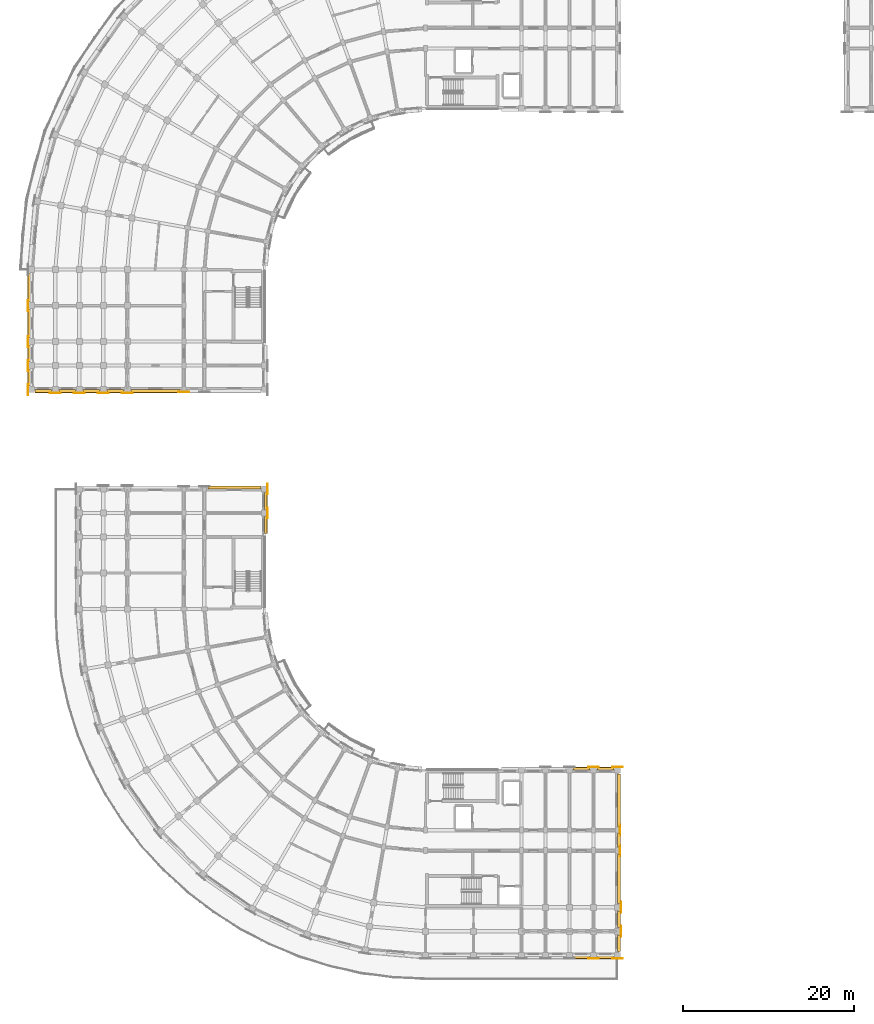
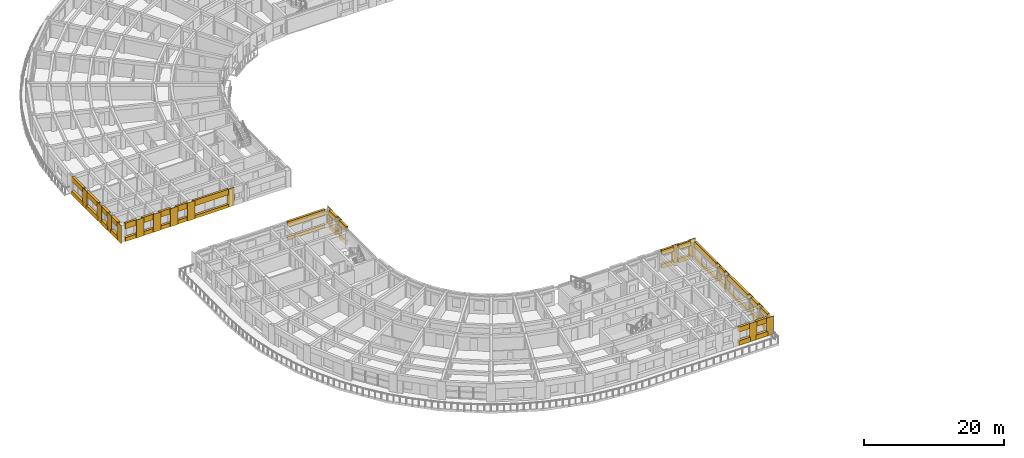
# One storey, part 45 of 57: 61 coverings.
"""IFC4 building model written with IfcOpenShell, lengths in metres."""

import ifcopenshell
import ifcopenshell.guid

model = None  # the IFC model being written
_history = None  # IfcOwnerHistory: only IFC2X3 demands one
_inside = {}  # id of a spatial element -> (the spatial element, [elements in it])
_under = {}  # id of a project, library or spatial element -> (it, [spatial elements below it])
_declared = {}  # id of a project -> (the project, [libraries it declares])
_typed = {}  # id of a type object -> (the type object, [elements of that type])
_made_of = {}  # id of a material, layer set ... -> (it, [elements and type objects made of it])


def new_model(schema):
    """Start an empty IFC model of exactly this schema.

    Asked for "IFC4X3", IfcOpenShell would pick the latest addendum, in which some entities
    have other attributes; the version numbers below select the first issue.
    IFC2X3 requires an IfcOwnerHistory on every rooted entity: one is made here for all.
    """
    global model, _history
    if schema == "IFC4X3":
        model = ifcopenshell.file(schema_version=(4, 3, 0, 0))
    else:
        model = ifcopenshell.file(schema=schema)
    _inside.clear()
    _under.clear()
    _declared.clear()
    _typed.clear()
    _made_of.clear()
    _history = None
    if model.schema == "IFC2X3":
        org = make("IfcOrganization", Name="unknown")
        user = make(
            "IfcPersonAndOrganization",
            ThePerson=make("IfcPerson", FamilyName="unknown"),
            TheOrganization=org,
        )
        app = make(
            "IfcApplication",
            ApplicationDeveloper=org,
            Version="unknown",
            ApplicationFullName="unknown",
            ApplicationIdentifier="unknown",
        )
        _history = make(
            "IfcOwnerHistory",
            OwningUser=user,
            OwningApplication=app,
            ChangeAction="ADDED",
            CreationDate=0,
        )
    return model


def make(cls, **values):
    """One entity of the class cls with the attributes given. An attribute that is None is left unset."""
    return model.create_entity(
        cls, **{name: value for name, value in values.items() if value is not None}
    )


def rooted(cls, **values):
    """An entity with a GlobalId (a new one), such as an element, a storey or a relation."""
    return make(cls, GlobalId=ifcopenshell.guid.new(), OwnerHistory=_history, **values)


def si_unit(unit_type, name, prefix=None):
    """IfcSIUnit, for example si_unit("LENGTHUNIT", "METRE", prefix="MILLI")."""
    return make("IfcSIUnit", UnitType=unit_type, Prefix=prefix, Name=name)


def assignment(units):
    """IfcUnitAssignment: the units of a project."""
    return None if units is None else make("IfcUnitAssignment", Units=units)


def point(xyz):
    """IfcCartesianPoint."""
    return None if xyz is None else make("IfcCartesianPoint", Coordinates=xyz)


def direction(xyz):
    """IfcDirection."""
    return None if xyz is None else make("IfcDirection", DirectionRatios=xyz)


def frame(location, z_axis=None, x_axis=None):
    """IfcAxis2Placement3D, a coordinate frame: its origin and axes. An axis left out is left unset."""
    return make(
        "IfcAxis2Placement3D",
        Location=point(location),
        Axis=direction(z_axis),
        RefDirection=direction(x_axis),
    )


def origin():
    """The frame at (0, 0, 0) with its axes left unset."""
    return frame((0.0, 0.0, 0.0))


def place(relative_to, where):
    """IfcLocalPlacement: puts the frame where relative to a parent placement (None: the world)."""
    return make(
        "IfcLocalPlacement", PlacementRelTo=relative_to, RelativePlacement=where
    )


def context(
    kind, dimensions, precision=None, world=None, true_north=None, identifier=None
):
    """IfcGeometricRepresentationContext, for example the 3D "Model" context."""
    return make(
        "IfcGeometricRepresentationContext",
        ContextIdentifier=identifier,
        ContextType=kind,
        CoordinateSpaceDimension=dimensions,
        Precision=precision,
        WorldCoordinateSystem=world,
        TrueNorth=true_north,
    )


def subcontext(parent, identifier, kind, view, scale=None):
    """IfcGeometricRepresentationSubContext, for example "Body" below "Model"."""
    return make(
        "IfcGeometricRepresentationSubContext",
        ContextIdentifier=identifier,
        ContextType=kind,
        ParentContext=parent,
        TargetScale=scale,
        TargetView=view,
    )


def project(units=None, contexts=None):
    """IfcProject with its units and contexts."""
    return rooted(
        "IfcProject",
        Name="project",
        RepresentationContexts=contexts,
        UnitsInContext=assignment(units),
    )


def spatial(cls, under=None, at=None, **own):
    """A site, building, storey or space (cls), placed at a placement, below another one or the project."""
    s = rooted(cls, ObjectPlacement=at, **own)
    if under is not None:
        _under.setdefault(under.id(), (under, []))[1].append(s)
    return s


def polyline(points):
    """IfcPolyline through the points."""
    return make("IfcPolyline", Points=[point(p) for p in points])


def outline(outer, holes=None, kind="AREA"):
    """IfcArbitraryClosedProfileDef: a profile drawn as a closed curve; with holes, ...WithVoids."""
    if holes is None:
        return make("IfcArbitraryClosedProfileDef", ProfileType=kind, OuterCurve=outer)
    return make(
        "IfcArbitraryProfileDefWithVoids",
        ProfileType=kind,
        OuterCurve=outer,
        InnerCurves=holes,
    )


def extrude(swept, where, along, depth):
    """IfcExtrudedAreaSolid: the profile swept, set in the frame where, extruded along a direction by depth."""
    return make(
        "IfcExtrudedAreaSolid",
        SweptArea=swept,
        Position=where,
        ExtrudedDirection=direction(along),
        Depth=depth,
    )


def shape(context_of_items, identifier, shape_type, items):
    """IfcShapeRepresentation: the items that make up one representation, for example the "Body"."""
    return make(
        "IfcShapeRepresentation",
        ContextOfItems=context_of_items,
        RepresentationIdentifier=identifier,
        RepresentationType=shape_type,
        Items=items,
    )


def material(Name=None, Category=None):
    """IfcMaterial."""
    return make("IfcMaterial", Name=Name, Category=Category)


def layer(
    of_material, thickness, ventilated=None, Name=None, Category=None, Priority=None
):
    """IfcMaterialLayer: one layer of a wall or slab, of a material (None: an air gap)."""
    return make(
        "IfcMaterialLayer",
        Material=of_material,
        LayerThickness=thickness,
        IsVentilated=ventilated,
        Name=Name,
        Category=Category,
        Priority=Priority,
    )


def layer_set(layers, Name=None):
    """IfcMaterialLayerSet."""
    return make("IfcMaterialLayerSet", MaterialLayers=layers, LayerSetName=Name)


def made_of(thing, what):
    """Note that an element or type object is made of a material, layer set ...; save() writes the relation."""
    if what is not None:
        _made_of.setdefault(what.id(), (what, []))[1].append(thing)
    return thing


def type_object(cls, material=None, **own):
    """A type object (cls), such as IfcWallType, which elements share."""
    return made_of(rooted(cls, **own), material)


def element(
    cls,
    number,
    at=None,
    inside=None,
    cuts=None,
    type_object=None,
    material=None,
    context=None,
    identifier="Body",
    shape_type=None,
    held_by="IfcProductDefinitionShape",
    body=None,
    shapes=None,
    **own,
):
    """One element of the class cls, such as IfcWall. Its Tag is "e" and its number.

    at: its placement. inside: the storey or other place that contains it. cuts: it is an
    opening in that element (IfcRelVoidsElement). A single representation is given by context,
    identifier, shape_type and body (its items); several are given by shapes. held_by: the class
    of the entity that holds the representations. save() writes the other relations.
    """
    e = rooted(cls, Tag="e%d" % number, ObjectPlacement=at, **own)
    if body is not None:
        shapes = [shape(context, identifier, shape_type, body)]
    if shapes is not None:
        e.Representation = make(held_by, Representations=shapes)
    if inside is not None:
        _inside.setdefault(inside.id(), (inside, []))[1].append(e)
    if cuts is not None:
        rooted(
            "IfcRelVoidsElement", RelatingBuildingElement=cuts, RelatedOpeningElement=e
        )
    if type_object is not None:
        _typed.setdefault(type_object.id(), (type_object, []))[1].append(e)
    return made_of(e, material)


def aggregate(whole, parts):
    """IfcRelAggregates: a whole, such as a stair, and the parts it consists of."""
    return rooted("IfcRelAggregates", RelatingObject=whole, RelatedObjects=parts)


def save(model, path):
    """Write the relations noted so far, then the file.

    IfcRelAggregates (storeys below a building ...), IfcRelContainedInSpatialStructure (elements
    in a storey), IfcRelDefinesByType, IfcRelAssociatesMaterial and IfcRelDeclares: one each for
    every whole, place, type object, material and project.
    """
    for whole, parts in _under.values():
        aggregate(whole, parts)
    for where, things in _inside.values():
        rooted(
            "IfcRelContainedInSpatialStructure",
            RelatedElements=things,
            RelatingStructure=where,
        )
    for kind, things in _typed.values():
        rooted("IfcRelDefinesByType", RelatedObjects=things, RelatingType=kind)
    for what, things in _made_of.values():
        rooted("IfcRelAssociatesMaterial", RelatedObjects=things, RelatingMaterial=what)
    for by, libraries in _declared.values():
        rooted("IfcRelDeclares", RelatingContext=by, RelatedDefinitions=libraries)
    model.write(path)


model = new_model("IFC4")

# Units and contexts
model_context = context("Model", 3, precision=1e-05, world=origin(), true_north=direction((0.0, 1.0)))
body_context = subcontext(model_context, "Body", "Model", "MODEL_VIEW")
ifc_project = project(units=[si_unit("LENGTHUNIT", "METRE"), si_unit("AREAUNIT", "SQUARE_METRE"), si_unit("VOLUMEUNIT", "CUBIC_METRE"), si_unit("PLANEANGLEUNIT", "RADIAN"), si_unit("MASSUNIT", "GRAM", prefix="KILO")], contexts=[model_context])

# Site, building, storey
site_placement = place(None, origin())
site = spatial("IfcSite", under=ifc_project, at=site_placement, CompositionType="ELEMENT")
building_placement = place(site_placement, origin())
building = spatial("IfcBuilding", under=site, at=building_placement, Name="Kiranvali Square Residences", CompositionType="ELEMENT")
storey_placement = place(building_placement, frame((0.0, 0.0, 24.449951171875)))
storey = spatial("IfcBuildingStorey", under=building, at=storey_placement, Name="L07", CompositionType="ELEMENT", Elevation=24.449951171875)

# Coverings
ifc_material = material(Name="Honed Porbandar limestone ashlar facade cladding", Category="masonry")
ifc_layer_1 = layer(ifc_material, 0.06494140625)
ifc_layer_set_1 = layer_set([ifc_layer_1], Name="Honed Porbandar limestone ashlar facade cladding")
covering_type_1 = type_object("IfcCoveringType", Name="COV-CLAD-PIER", PredefinedType="CLADDING", material=ifc_layer_set_1)
covering_1_placement = place(storey_placement, frame((0.0, 0.0, 0.005126953125)))
element("IfcCovering", 1, at=covering_1_placement, inside=storey, type_object=covering_type_1, Name="L07 Classical limestone pilaster casing CLAD-PR-A-L07-V42", PredefinedType="CLADDING", context=body_context, shape_type="SweptSolid", body=[
    extrude(outline(polyline([(1.781982421875, 84.22998046875), (1.781982421875, 82.969970703125), (1.849609375, 82.969970703125), (1.849609375, 84.22998046875), (1.781982421875, 84.22998046875)])), origin(), (0.0, 0.0, 1.0), 3.139892578125),
])
covering_2_placement = place(storey_placement, frame((0.0, 0.0, 0.005126953125)))
element("IfcCovering", 2, at=covering_2_placement, inside=storey, type_object=covering_type_1, Name="L07 Classical limestone pilaster casing CLAD-PR-A-L07-V84", PredefinedType="CLADDING", context=body_context, shape_type="SweptSolid", body=[
    extrude(outline(polyline([(1.781982421875, 80.030029296875), (1.781982421875, 78.77001953125), (1.849609375, 78.77001953125), (1.849609375, 80.030029296875), (1.781982421875, 80.030029296875)])), origin(), (0.0, 0.0, 1.0), 3.139892578125),
])
covering_3_placement = place(storey_placement, frame((0.0, 0.0, 0.005126953125)))
element("IfcCovering", 3, at=covering_3_placement, inside=storey, type_object=covering_type_1, Name="L07 Classical limestone pilaster casing CLAD-PR-A-L07-V112", PredefinedType="CLADDING", context=body_context, shape_type="SweptSolid", body=[
    extrude(outline(polyline([(1.781982421875, 77.22998046875), (1.781982421875, 75.969970703125), (1.849609375, 75.969970703125), (1.849609375, 77.22998046875), (1.781982421875, 77.22998046875)])), origin(), (0.0, 0.0, 1.0), 3.139892578125),
])
covering_4_placement = place(storey_placement, frame((0.0, 0.0, 0.005126953125)))
element("IfcCovering", 4, at=covering_4_placement, inside=storey, type_object=covering_type_1, Name="L07 Classical limestone pilaster casing CLAD-PR-A-L07-V140", PredefinedType="CLADDING", context=body_context, shape_type="SweptSolid", body=[
    extrude(outline(polyline([(1.781982421875, 74.429931640625), (1.781982421875, 73.169921875), (1.849609375, 73.169921875), (1.849609375, 74.429931640625), (1.781982421875, 74.429931640625)])), origin(), (0.0, 0.0, 1.0), 3.139892578125),
])
covering_5_placement = place(storey_placement, frame((0.0, 0.0, 0.005126953125)))
element("IfcCovering", 5, at=covering_5_placement, inside=storey, type_object=covering_type_1, Name="L07 Classical limestone pilaster casing CLAD-PR-C-L07-U195", PredefinedType="CLADDING", context=body_context, shape_type="SweptSolid", body=[
    extrude(outline(polyline([(67.169921875, 7.382080078125), (68.429931640625, 7.382080078125), (68.429931640625, 7.449462890625), (67.169921875, 7.449462890625), (67.169921875, 7.382080078125)])), origin(), (0.0, 0.0, 1.0), 3.139892578125),
])
covering_6_placement = place(storey_placement, frame((0.0, 0.0, 0.005126953125)))
element("IfcCovering", 6, at=covering_6_placement, inside=storey, type_object=covering_type_1, Name="L07 Classical limestone pilaster casing CLAD-PR-C-L07-U224", PredefinedType="CLADDING", context=body_context, shape_type="SweptSolid", body=[
    extrude(outline(polyline([(69.969970703125, 7.382080078125), (71.22998046875, 7.382080078125), (71.22998046875, 7.449462890625), (69.969970703125, 7.449462890625), (69.969970703125, 7.382080078125)])), origin(), (0.0, 0.0, 1.0), 3.139892578125),
])
ifc_layer_2 = layer(ifc_material, 0.050048828125)
ifc_layer_set_2 = layer_set([ifc_layer_2], Name="Honed Porbandar limestone ashlar facade cladding")
covering_type_2 = type_object("IfcCoveringType", Name="COV-CLAD-PIER-IN", PredefinedType="CLADDING", material=ifc_layer_set_2)
covering_7_placement = place(storey_placement, frame((0.0, 0.0, 0.005126953125)))
element("IfcCovering", 7, at=covering_7_placement, inside=storey, type_object=covering_type_2, Name="L07 Classical limestone pilaster casing CLAD-PRA1I-C-L07-U195", PredefinedType="CLADDING", context=body_context, shape_type="SweptSolid", body=[
    extrude(outline(polyline([(67.169921875, 29.75048828125), (68.429931640625, 29.75048828125), (68.429931640625, 29.818115234375), (67.169921875, 29.818115234375), (67.169921875, 29.75048828125)])), origin(), (0.0, 0.0, 1.0), 3.139892578125),
])
covering_8_placement = place(storey_placement, frame((0.0, 0.0, 0.005126953125)))
element("IfcCovering", 8, at=covering_8_placement, inside=storey, type_object=covering_type_2, Name="L07 Classical limestone pilaster casing CLAD-PRA1I-C-L07-U224", PredefinedType="CLADDING", context=body_context, shape_type="SweptSolid", body=[
    extrude(outline(polyline([(69.969970703125, 29.75048828125), (71.22998046875, 29.75048828125), (71.22998046875, 29.818115234375), (69.969970703125, 29.818115234375), (69.969970703125, 29.75048828125)])), origin(), (0.0, 0.0, 1.0), 3.139892578125),
])
covering_9_placement = place(storey_placement, frame((0.0, 0.0, 0.005126953125)))
element("IfcCovering", 9, at=covering_9_placement, inside=storey, type_object=covering_type_2, Name="L07 Classical limestone pilaster casing CLAD-PRA2I-C-L07-V112", PredefinedType="CLADDING", context=body_context, shape_type="SweptSolid", body=[
    extrude(outline(polyline([(29.818115234375, 58.77001953125), (29.818115234375, 60.030029296875), (29.75048828125, 60.030029296875), (29.75048828125, 58.77001953125), (29.818115234375, 58.77001953125)])), origin(), (0.0, 0.0, 1.0), 3.139892578125),
])
covering_10_placement = place(storey_placement, frame((0.0, 0.0, 0.005126953125)))
element("IfcCovering", 10, at=covering_10_placement, inside=storey, type_object=covering_type_2, Name="L07 Classical limestone pilaster casing CLAD-PRA2I-C-L07-V140", PredefinedType="CLADDING", context=body_context, shape_type="SweptSolid", body=[
    extrude(outline(polyline([(29.818115234375, 61.570068359375), (29.818115234375, 62.830078125), (29.75048828125, 62.830078125), (29.75048828125, 61.570068359375), (29.818115234375, 61.570068359375)])), origin(), (0.0, 0.0, 1.0), 3.139892578125),
])
ifc_layer_3 = layer(ifc_material, 0.054931640625)
ifc_layer_set_3 = layer_set([ifc_layer_3], Name="Honed Porbandar limestone ashlar facade cladding")
covering_type_3 = type_object("IfcCoveringType", Name="COV-CLAD-PIER-UP", PredefinedType="CLADDING", material=ifc_layer_set_3)
covering_11_placement = place(storey_placement, frame((0.0, 0.0, 0.005126953125)))
element("IfcCovering", 11, at=covering_11_placement, inside=storey, type_object=covering_type_3, Name="L07 Classical limestone pilaster casing CLAD-PRA2E-A-L07-R282", PredefinedType="CLADDING", context=body_context, shape_type="SweptSolid", body=[
    extrude(outline(polyline([(20.6298828125, 73.549560546875), (19.3701171875, 73.549560546875), (19.3701171875, 73.48193359375), (20.6298828125, 73.48193359375), (20.6298828125, 73.549560546875)])), origin(), (0.0, 0.0, 1.0), 3.139892578125),
])
covering_12_placement = place(storey_placement, frame((0.0, 0.0, 0.005126953125)))
element("IfcCovering", 12, at=covering_12_placement, inside=storey, type_object=covering_type_3, Name="L07 Classical limestone pilaster casing CLAD-PRA2E-A-L07-R348", PredefinedType="CLADDING", context=body_context, shape_type="SweptSolid", body=[
    extrude(outline(polyline([(14.030029296875, 73.449462890625), (12.77001953125, 73.449462890625), (12.77001953125, 73.382080078125), (14.030029296875, 73.382080078125), (14.030029296875, 73.449462890625)])), origin(), (0.0, 0.0, 1.0), 3.139892578125),
])
covering_13_placement = place(storey_placement, frame((0.0, 0.0, 0.005126953125)))
element("IfcCovering", 13, at=covering_13_placement, inside=storey, type_object=covering_type_3, Name="L07 Classical limestone pilaster casing CLAD-PRA2E-A-L07-R376", PredefinedType="CLADDING", context=body_context, shape_type="SweptSolid", body=[
    extrude(outline(polyline([(11.22998046875, 73.449462890625), (9.969970703125, 73.449462890625), (9.969970703125, 73.382080078125), (11.22998046875, 73.382080078125), (11.22998046875, 73.449462890625)])), origin(), (0.0, 0.0, 1.0), 3.139892578125),
])
covering_14_placement = place(storey_placement, frame((0.0, 0.0, 0.005126953125)))
element("IfcCovering", 14, at=covering_14_placement, inside=storey, type_object=covering_type_3, Name="L07 Classical limestone pilaster casing CLAD-PRA2E-A-L07-R404", PredefinedType="CLADDING", context=body_context, shape_type="SweptSolid", body=[
    extrude(outline(polyline([(8.429931640625, 73.449462890625), (7.169921875, 73.449462890625), (7.169921875, 73.382080078125), (8.429931640625, 73.382080078125), (8.429931640625, 73.449462890625)])), origin(), (0.0, 0.0, 1.0), 3.139892578125),
])
covering_15_placement = place(storey_placement, frame((0.0, 0.0, 0.005126953125)))
element("IfcCovering", 15, at=covering_15_placement, inside=storey, type_object=covering_type_3, Name="L07 Classical limestone pilaster casing CLAD-PRA2E-A-L07-R432", PredefinedType="CLADDING", context=body_context, shape_type="SweptSolid", body=[
    extrude(outline(polyline([(5.6298828125, 73.449462890625), (4.3701171875, 73.449462890625), (4.3701171875, 73.382080078125), (5.6298828125, 73.382080078125), (5.6298828125, 73.449462890625)])), origin(), (0.0, 0.0, 1.0), 3.139892578125),
])
covering_16_placement = place(storey_placement, frame((0.0, 0.0, 0.005126953125)))
element("IfcCovering", 16, at=covering_16_placement, inside=storey, type_object=covering_type_3, Name="L07 Classical limestone pilaster casing CLAD-PRA1E-C-L07-R258", PredefinedType="CLADDING", context=body_context, shape_type="SweptSolid", body=[
    extrude(outline(polyline([(70.8505859375, 23.030029296875), (70.8505859375, 21.77001953125), (70.91796875, 21.77001953125), (70.91796875, 23.030029296875), (70.8505859375, 23.030029296875)])), origin(), (0.0, 0.0, 1.0), 3.139892578125),
])
covering_17_placement = place(storey_placement, frame((0.0, 0.0, 0.005126953125)))
element("IfcCovering", 17, at=covering_17_placement, inside=storey, type_object=covering_type_3, Name="L07 Classical limestone pilaster casing CLAD-PRA1E-C-L07-R282", PredefinedType="CLADDING", context=body_context, shape_type="SweptSolid", body=[
    extrude(outline(polyline([(70.8505859375, 20.6298828125), (70.8505859375, 19.3701171875), (70.91796875, 19.3701171875), (70.91796875, 20.6298828125), (70.8505859375, 20.6298828125)])), origin(), (0.0, 0.0, 1.0), 3.139892578125),
])
covering_18_placement = place(storey_placement, frame((0.0, 0.0, 0.005126953125)))
element("IfcCovering", 18, at=covering_18_placement, inside=storey, type_object=covering_type_3, Name="L07 Classical limestone pilaster casing CLAD-PRA1E-C-L07-R348", PredefinedType="CLADDING", context=body_context, shape_type="SweptSolid", body=[
    extrude(outline(polyline([(70.950439453125, 14.030029296875), (70.950439453125, 12.77001953125), (71.01806640625, 12.77001953125), (71.01806640625, 14.030029296875), (70.950439453125, 14.030029296875)])), origin(), (0.0, 0.0, 1.0), 3.139892578125),
])
covering_19_placement = place(storey_placement, frame((0.0, 0.0, 0.005126953125)))
element("IfcCovering", 19, at=covering_19_placement, inside=storey, type_object=covering_type_3, Name="L07 Classical limestone pilaster casing CLAD-PRA1E-C-L07-R376", PredefinedType="CLADDING", context=body_context, shape_type="SweptSolid", body=[
    extrude(outline(polyline([(70.950439453125, 11.22998046875), (70.950439453125, 9.969970703125), (71.01806640625, 9.969970703125), (71.01806640625, 11.22998046875), (70.950439453125, 11.22998046875)])), origin(), (0.0, 0.0, 1.0), 3.139892578125),
])
ifc_layer_4 = layer(ifc_material, 0.360107421875)
ifc_layer_set_4 = layer_set([ifc_layer_4], Name="Honed Porbandar limestone ashlar facade cladding")
covering_type_4 = type_object("IfcCoveringType", Name="COV-CLAD-WALL", PredefinedType="CLADDING", material=ifc_layer_set_4)
covering_20_placement = place(storey_placement, frame((0.0, 0.0, 2.27197265625)))
element("IfcCovering", 20, at=covering_20_placement, inside=storey, type_object=covering_type_4, Name="L07 light limestone spandrel lintel A-L07-A2O-0", PredefinedType="CLADDING", context=body_context, shape_type="SweptSolid", body=[
    extrude(outline(polyline([(1.800048828125, 87.3798828125), (1.800048828125, 84.02001953125), (2.199462890625, 84.02001953125), (2.199462890625, 87.3798828125), (1.800048828125, 87.3798828125)])), origin(), (0.0, 0.0, 1.0), 0.873046875),
])
covering_21_placement = place(storey_placement, frame((0.0, 0.0, 0.005126953125)))
element("IfcCovering", 21, at=covering_21_placement, inside=storey, type_object=covering_type_4, Name="L07 limestone window sill apron A-L07-A2O-0", PredefinedType="CLADDING", context=body_context, shape_type="SweptSolid", body=[
    extrude(outline(polyline([(1.77001953125, 87.3798828125), (1.77001953125, 84.02001953125), (2.199462890625, 84.02001953125), (2.199462890625, 87.3798828125), (1.77001953125, 87.3798828125)])), origin(), (0.0, 0.0, 1.0), 0.717041015625),
])
covering_22_placement = place(storey_placement, frame((0.0, 0.0, 2.27197265625)))
element("IfcCovering", 22, at=covering_22_placement, inside=storey, type_object=covering_type_4, Name="L07 light limestone spandrel lintel A-L07-A2O-1", PredefinedType="CLADDING", context=body_context, shape_type="SweptSolid", body=[
    extrude(outline(polyline([(1.800048828125, 83.179931640625), (1.800048828125, 79.820068359375), (2.199462890625, 79.820068359375), (2.199462890625, 83.179931640625), (1.800048828125, 83.179931640625)])), origin(), (0.0, 0.0, 1.0), 0.873046875),
])
covering_23_placement = place(storey_placement, frame((0.0, 0.0, 0.005126953125)))
element("IfcCovering", 23, at=covering_23_placement, inside=storey, type_object=covering_type_4, Name="L07 limestone window sill apron A-L07-A2O-1", PredefinedType="CLADDING", context=body_context, shape_type="SweptSolid", body=[
    extrude(outline(polyline([(1.77001953125, 83.179931640625), (1.77001953125, 79.820068359375), (2.199462890625, 79.820068359375), (2.199462890625, 83.179931640625), (1.77001953125, 83.179931640625)])), origin(), (0.0, 0.0, 1.0), 0.717041015625),
])
covering_24_placement = place(storey_placement, frame((0.0, 0.0, 2.27197265625)))
element("IfcCovering", 24, at=covering_24_placement, inside=storey, type_object=covering_type_4, Name="L07 light limestone spandrel lintel A-L07-A2O-2", PredefinedType="CLADDING", context=body_context, shape_type="SweptSolid", body=[
    extrude(outline(polyline([(1.800048828125, 78.97998046875), (1.800048828125, 77.02001953125), (2.199462890625, 77.02001953125), (2.199462890625, 78.97998046875), (1.800048828125, 78.97998046875)])), origin(), (0.0, 0.0, 1.0), 0.873046875),
])
covering_25_placement = place(storey_placement, frame((0.0, 0.0, 0.005126953125)))
element("IfcCovering", 25, at=covering_25_placement, inside=storey, type_object=covering_type_4, Name="L07 limestone window sill apron A-L07-A2O-2", PredefinedType="CLADDING", context=body_context, shape_type="SweptSolid", body=[
    extrude(outline(polyline([(1.77001953125, 78.97998046875), (1.77001953125, 77.02001953125), (2.199462890625, 77.02001953125), (2.199462890625, 78.97998046875), (1.77001953125, 78.97998046875)])), origin(), (0.0, 0.0, 1.0), 0.717041015625),
])
covering_26_placement = place(storey_placement, frame((0.0, 0.0, 2.27197265625)))
element("IfcCovering", 26, at=covering_26_placement, inside=storey, type_object=covering_type_4, Name="L07 light limestone spandrel lintel A-L07-A2O-3", PredefinedType="CLADDING", context=body_context, shape_type="SweptSolid", body=[
    extrude(outline(polyline([(1.800048828125, 76.179931640625), (1.800048828125, 74.219970703125), (2.199462890625, 74.219970703125), (2.199462890625, 76.179931640625), (1.800048828125, 76.179931640625)])), origin(), (0.0, 0.0, 1.0), 0.873046875),
])
covering_27_placement = place(storey_placement, frame((0.0, 0.0, 0.005126953125)))
element("IfcCovering", 27, at=covering_27_placement, inside=storey, type_object=covering_type_4, Name="L07 limestone window sill apron A-L07-A2O-3", PredefinedType="CLADDING", context=body_context, shape_type="SweptSolid", body=[
    extrude(outline(polyline([(1.77001953125, 76.179931640625), (1.77001953125, 74.219970703125), (2.199462890625, 74.219970703125), (2.199462890625, 76.179931640625), (1.77001953125, 76.179931640625)])), origin(), (0.0, 0.0, 1.0), 0.717041015625),
])
covering_28_placement = place(storey_placement, frame((0.0, 0.0, 2.172119140625)))
element("IfcCovering", 28, at=covering_28_placement, inside=storey, type_object=covering_type_4, Name="L07 light limestone spandrel lintel A-L07-A2END-2", PredefinedType="CLADDING", context=body_context, shape_type="SweptSolid", body=[
    extrude(outline(polyline([(19.580078125, 73.799560546875), (13.820068359375, 73.799560546875), (13.820068359375, 73.4599609375), (19.580078125, 73.4599609375), (19.580078125, 73.799560546875)])), origin(), (0.0, 0.0, 1.0), 0.972900390625),
])
covering_29_placement = place(storey_placement, frame((0.0, 0.0, 0.005126953125)))
element("IfcCovering", 29, at=covering_29_placement, inside=storey, type_object=covering_type_4, Name="L07 limestone window sill apron A-L07-A2END-2", PredefinedType="CLADDING", context=body_context, shape_type="SweptSolid", body=[
    extrude(outline(polyline([(19.580078125, 73.799560546875), (13.820068359375, 73.799560546875), (13.820068359375, 73.429931640625), (19.580078125, 73.429931640625), (19.580078125, 73.799560546875)])), origin(), (0.0, 0.0, 1.0), 0.516845703125),
])
covering_30_placement = place(storey_placement, frame((0.0, 0.0, 2.172119140625)))
element("IfcCovering", 30, at=covering_30_placement, inside=storey, type_object=covering_type_4, Name="L07 light limestone spandrel lintel A-L07-A2END-3", PredefinedType="CLADDING", context=body_context, shape_type="SweptSolid", body=[
    extrude(outline(polyline([(12.97998046875, 73.799560546875), (11.02001953125, 73.799560546875), (11.02001953125, 73.4599609375), (12.97998046875, 73.4599609375), (12.97998046875, 73.799560546875)])), origin(), (0.0, 0.0, 1.0), 0.972900390625),
])
covering_31_placement = place(storey_placement, frame((0.0, 0.0, 0.005126953125)))
element("IfcCovering", 31, at=covering_31_placement, inside=storey, type_object=covering_type_4, Name="L07 limestone window sill apron A-L07-A2END-3", PredefinedType="CLADDING", context=body_context, shape_type="SweptSolid", body=[
    extrude(outline(polyline([(12.97998046875, 73.799560546875), (11.02001953125, 73.799560546875), (11.02001953125, 73.429931640625), (12.97998046875, 73.429931640625), (12.97998046875, 73.799560546875)])), origin(), (0.0, 0.0, 1.0), 0.6669921875),
])
covering_32_placement = place(storey_placement, frame((0.0, 0.0, 2.172119140625)))
element("IfcCovering", 32, at=covering_32_placement, inside=storey, type_object=covering_type_4, Name="L07 light limestone spandrel lintel A-L07-A2END-4", PredefinedType="CLADDING", context=body_context, shape_type="SweptSolid", body=[
    extrude(outline(polyline([(10.179931640625, 73.799560546875), (8.219970703125, 73.799560546875), (8.219970703125, 73.4599609375), (10.179931640625, 73.4599609375), (10.179931640625, 73.799560546875)])), origin(), (0.0, 0.0, 1.0), 0.972900390625),
])
covering_33_placement = place(storey_placement, frame((0.0, 0.0, 0.005126953125)))
element("IfcCovering", 33, at=covering_33_placement, inside=storey, type_object=covering_type_4, Name="L07 limestone window sill apron A-L07-A2END-4", PredefinedType="CLADDING", context=body_context, shape_type="SweptSolid", body=[
    extrude(outline(polyline([(10.179931640625, 73.799560546875), (8.219970703125, 73.799560546875), (8.219970703125, 73.429931640625), (10.179931640625, 73.429931640625), (10.179931640625, 73.799560546875)])), origin(), (0.0, 0.0, 1.0), 0.6669921875),
])
covering_34_placement = place(storey_placement, frame((0.0, 0.0, 2.172119140625)))
element("IfcCovering", 34, at=covering_34_placement, inside=storey, type_object=covering_type_4, Name="L07 light limestone spandrel lintel A-L07-A2END-5", PredefinedType="CLADDING", context=body_context, shape_type="SweptSolid", body=[
    extrude(outline(polyline([(7.3798828125, 73.799560546875), (5.419921875, 73.799560546875), (5.419921875, 73.4599609375), (7.3798828125, 73.4599609375), (7.3798828125, 73.799560546875)])), origin(), (0.0, 0.0, 1.0), 0.972900390625),
])
covering_35_placement = place(storey_placement, frame((0.0, 0.0, 0.005126953125)))
element("IfcCovering", 35, at=covering_35_placement, inside=storey, type_object=covering_type_4, Name="L07 limestone window sill apron A-L07-A2END-5", PredefinedType="CLADDING", context=body_context, shape_type="SweptSolid", body=[
    extrude(outline(polyline([(7.3798828125, 73.799560546875), (5.419921875, 73.799560546875), (5.419921875, 73.429931640625), (7.3798828125, 73.429931640625), (7.3798828125, 73.799560546875)])), origin(), (0.0, 0.0, 1.0), 0.6669921875),
])
covering_36_placement = place(storey_placement, frame((0.0, 0.0, 2.172119140625)))
element("IfcCovering", 36, at=covering_36_placement, inside=storey, type_object=covering_type_4, Name="L07 light limestone spandrel lintel A-L07-A2END-6", PredefinedType="CLADDING", context=body_context, shape_type="SweptSolid", body=[
    extrude(outline(polyline([(4.580078125, 73.799560546875), (2.6201171875, 73.799560546875), (2.6201171875, 73.4599609375), (4.580078125, 73.4599609375), (4.580078125, 73.799560546875)])), origin(), (0.0, 0.0, 1.0), 0.972900390625),
])
covering_37_placement = place(storey_placement, frame((0.0, 0.0, 0.005126953125)))
element("IfcCovering", 37, at=covering_37_placement, inside=storey, type_object=covering_type_4, Name="L07 limestone window sill apron A-L07-A2END-6", PredefinedType="CLADDING", context=body_context, shape_type="SweptSolid", body=[
    extrude(outline(polyline([(4.580078125, 73.799560546875), (2.6201171875, 73.799560546875), (2.6201171875, 73.429931640625), (4.580078125, 73.429931640625), (4.580078125, 73.799560546875)])), origin(), (0.0, 0.0, 1.0), 0.6669921875),
])
covering_38_placement = place(storey_placement, frame((0.0, 0.0, 2.280029296875)))
element("IfcCovering", 38, at=covering_38_placement, inside=storey, type_object=covering_type_4, Name="L07 light limestone spandrel lintel C-L07-A1O-4", PredefinedType="CLADDING", context=body_context, shape_type="SweptSolid", body=[
    extrude(outline(polyline([(65.43994140625, 7.39990234375), (67.360107421875, 7.39990234375), (67.360107421875, 7.799560546875), (65.43994140625, 7.799560546875), (65.43994140625, 7.39990234375)])), origin(), (0.0, 0.0, 1.0), 0.864990234375),
])
covering_39_placement = place(storey_placement, frame((0.0, 0.0, 0.005126953125)))
element("IfcCovering", 39, at=covering_39_placement, inside=storey, type_object=covering_type_4, Name="L07 limestone window sill apron C-L07-A1O-4", PredefinedType="CLADDING", context=body_context, shape_type="SweptSolid", body=[
    extrude(outline(polyline([(65.43994140625, 7.3701171875), (67.360107421875, 7.3701171875), (67.360107421875, 7.799560546875), (65.43994140625, 7.799560546875), (65.43994140625, 7.3701171875)])), origin(), (0.0, 0.0, 1.0), 0.77490234375),
])
covering_40_placement = place(storey_placement, frame((0.0, 0.0, 2.280029296875)))
element("IfcCovering", 40, at=covering_40_placement, inside=storey, type_object=covering_type_4, Name="L07 light limestone spandrel lintel C-L07-A1O-5", PredefinedType="CLADDING", context=body_context, shape_type="SweptSolid", body=[
    extrude(outline(polyline([(68.239990234375, 7.39990234375), (70.159912109375, 7.39990234375), (70.159912109375, 7.799560546875), (68.239990234375, 7.799560546875), (68.239990234375, 7.39990234375)])), origin(), (0.0, 0.0, 1.0), 0.864990234375),
])
covering_41_placement = place(storey_placement, frame((0.0, 0.0, 0.005126953125)))
element("IfcCovering", 41, at=covering_41_placement, inside=storey, type_object=covering_type_4, Name="L07 limestone window sill apron C-L07-A1O-5", PredefinedType="CLADDING", context=body_context, shape_type="SweptSolid", body=[
    extrude(outline(polyline([(68.239990234375, 7.3701171875), (70.159912109375, 7.3701171875), (70.159912109375, 7.799560546875), (68.239990234375, 7.799560546875), (68.239990234375, 7.3701171875)])), origin(), (0.0, 0.0, 1.0), 0.77490234375),
])
covering_42_placement = place(storey_placement, frame((0.0, 0.0, 2.27197265625)))
element("IfcCovering", 42, at=covering_42_placement, inside=storey, type_object=covering_type_4, Name="L07 light limestone spandrel lintel C-L07-A1I-2", PredefinedType="CLADDING", context=body_context, shape_type="SweptSolid", body=[
    extrude(outline(polyline([(65.419921875, 29.400390625), (67.3798828125, 29.400390625), (67.3798828125, 29.719970703125), (65.419921875, 29.719970703125), (65.419921875, 29.400390625)])), origin(), (0.0, 0.0, 1.0), 0.873046875),
])
covering_43_placement = place(storey_placement, frame((0.0, 0.0, 0.005126953125)))
element("IfcCovering", 43, at=covering_43_placement, inside=storey, type_object=covering_type_4, Name="L07 limestone window sill apron C-L07-A1I-2", PredefinedType="CLADDING", context=body_context, shape_type="SweptSolid", body=[
    extrude(outline(polyline([(65.419921875, 29.400390625), (67.3798828125, 29.400390625), (67.3798828125, 29.75), (65.419921875, 29.75), (65.419921875, 29.400390625)])), origin(), (0.0, 0.0, 1.0), 0.717041015625),
])
covering_44_placement = place(storey_placement, frame((0.0, 0.0, 2.27197265625)))
element("IfcCovering", 44, at=covering_44_placement, inside=storey, type_object=covering_type_4, Name="L07 light limestone spandrel lintel C-L07-A1I-3", PredefinedType="CLADDING", context=body_context, shape_type="SweptSolid", body=[
    extrude(outline(polyline([(68.219970703125, 29.400390625), (70.179931640625, 29.400390625), (70.179931640625, 29.719970703125), (68.219970703125, 29.719970703125), (68.219970703125, 29.400390625)])), origin(), (0.0, 0.0, 1.0), 0.873046875),
])
covering_45_placement = place(storey_placement, frame((0.0, 0.0, 0.005126953125)))
element("IfcCovering", 45, at=covering_45_placement, inside=storey, type_object=covering_type_4, Name="L07 limestone window sill apron C-L07-A1I-3", PredefinedType="CLADDING", context=body_context, shape_type="SweptSolid", body=[
    extrude(outline(polyline([(68.219970703125, 29.400390625), (70.179931640625, 29.400390625), (70.179931640625, 29.75), (68.219970703125, 29.75), (68.219970703125, 29.400390625)])), origin(), (0.0, 0.0, 1.0), 0.717041015625),
])
covering_46_placement = place(storey_placement, frame((0.0, 0.0, 2.172119140625)))
element("IfcCovering", 46, at=covering_46_placement, inside=storey, type_object=covering_type_4, Name="L07 light limestone spandrel lintel C-L07-A1END-0", PredefinedType="CLADDING", context=body_context, shape_type="SweptSolid", body=[
    extrude(outline(polyline([(70.6005859375, 28.97998046875), (70.6005859375, 22.820068359375), (70.93994140625, 22.820068359375), (70.93994140625, 28.97998046875), (70.6005859375, 28.97998046875)])), origin(), (0.0, 0.0, 1.0), 0.972900390625),
])
covering_47_placement = place(storey_placement, frame((0.0, 0.0, 0.005126953125)))
element("IfcCovering", 47, at=covering_47_placement, inside=storey, type_object=covering_type_4, Name="L07 limestone window sill apron C-L07-A1END-0", PredefinedType="CLADDING", context=body_context, shape_type="SweptSolid", body=[
    extrude(outline(polyline([(70.6005859375, 28.97998046875), (70.6005859375, 22.820068359375), (70.969970703125, 22.820068359375), (70.969970703125, 28.97998046875), (70.6005859375, 28.97998046875)])), origin(), (0.0, 0.0, 1.0), 0.516845703125),
])
covering_48_placement = place(storey_placement, frame((0.0, 0.0, 1.929931640625)))
element("IfcCovering", 48, at=covering_48_placement, inside=storey, type_object=covering_type_4, Name="L07 light limestone spandrel lintel C-L07-A1END-1", PredefinedType="CLADDING", context=body_context, shape_type="SweptSolid", body=[
    extrude(outline(polyline([(70.6005859375, 21.97998046875), (70.6005859375, 20.419921875), (70.93994140625, 20.419921875), (70.93994140625, 21.97998046875), (70.6005859375, 21.97998046875)])), origin(), (0.0, 0.0, 1.0), 1.215087890625),
])
covering_49_placement = place(storey_placement, frame((0.0, 0.0, 0.005126953125)))
element("IfcCovering", 49, at=covering_49_placement, inside=storey, type_object=covering_type_4, Name="L07 limestone window sill apron C-L07-A1END-1", PredefinedType="CLADDING", context=body_context, shape_type="SweptSolid", body=[
    extrude(outline(polyline([(70.6005859375, 21.97998046875), (70.6005859375, 20.419921875), (70.969970703125, 20.419921875), (70.969970703125, 21.97998046875), (70.6005859375, 21.97998046875)])), origin(), (0.0, 0.0, 1.0), 0.875),
])
covering_50_placement = place(storey_placement, frame((0.0, 0.0, 2.172119140625)))
element("IfcCovering", 50, at=covering_50_placement, inside=storey, type_object=covering_type_4, Name="L07 light limestone spandrel lintel C-L07-A1END-2", PredefinedType="CLADDING", context=body_context, shape_type="SweptSolid", body=[
    extrude(outline(polyline([(70.6005859375, 19.580078125), (70.6005859375, 13.820068359375), (70.93994140625, 13.820068359375), (70.93994140625, 19.580078125), (70.6005859375, 19.580078125)])), origin(), (0.0, 0.0, 1.0), 0.972900390625),
])
covering_51_placement = place(storey_placement, frame((0.0, 0.0, 0.005126953125)))
element("IfcCovering", 51, at=covering_51_placement, inside=storey, type_object=covering_type_4, Name="L07 limestone window sill apron C-L07-A1END-2", PredefinedType="CLADDING", context=body_context, shape_type="SweptSolid", body=[
    extrude(outline(polyline([(70.6005859375, 19.580078125), (70.6005859375, 13.820068359375), (70.969970703125, 13.820068359375), (70.969970703125, 19.580078125), (70.6005859375, 19.580078125)])), origin(), (0.0, 0.0, 1.0), 0.516845703125),
])
covering_52_placement = place(storey_placement, frame((0.0, 0.0, 2.172119140625)))
element("IfcCovering", 52, at=covering_52_placement, inside=storey, type_object=covering_type_4, Name="L07 light limestone spandrel lintel C-L07-A1END-3", PredefinedType="CLADDING", context=body_context, shape_type="SweptSolid", body=[
    extrude(outline(polyline([(70.6005859375, 12.97998046875), (70.6005859375, 11.02001953125), (70.93994140625, 11.02001953125), (70.93994140625, 12.97998046875), (70.6005859375, 12.97998046875)])), origin(), (0.0, 0.0, 1.0), 0.972900390625),
])
covering_53_placement = place(storey_placement, frame((0.0, 0.0, 0.005126953125)))
element("IfcCovering", 53, at=covering_53_placement, inside=storey, type_object=covering_type_4, Name="L07 limestone window sill apron C-L07-A1END-3", PredefinedType="CLADDING", context=body_context, shape_type="SweptSolid", body=[
    extrude(outline(polyline([(70.6005859375, 12.97998046875), (70.6005859375, 11.02001953125), (70.969970703125, 11.02001953125), (70.969970703125, 12.97998046875), (70.6005859375, 12.97998046875)])), origin(), (0.0, 0.0, 1.0), 0.6669921875),
])
covering_54_placement = place(storey_placement, frame((0.0, 0.0, 2.212158203125)))
element("IfcCovering", 54, at=covering_54_placement, inside=storey, type_object=covering_type_4, Name="L07 light limestone spandrel lintel C-L07-A1END-4", PredefinedType="CLADDING", context=body_context, shape_type="SweptSolid", body=[
    extrude(outline(polyline([(70.6005859375, 10.179931640625), (70.6005859375, 8.219970703125), (70.93994140625, 8.219970703125), (70.93994140625, 10.179931640625), (70.6005859375, 10.179931640625)])), origin(), (0.0, 0.0, 1.0), 0.932861328125),
])
covering_55_placement = place(storey_placement, frame((0.0, 0.0, 0.005126953125)))
element("IfcCovering", 55, at=covering_55_placement, inside=storey, type_object=covering_type_4, Name="L07 limestone window sill apron C-L07-A1END-4", PredefinedType="CLADDING", context=body_context, shape_type="SweptSolid", body=[
    extrude(outline(polyline([(70.6005859375, 10.179931640625), (70.6005859375, 8.219970703125), (70.969970703125, 8.219970703125), (70.969970703125, 10.179931640625), (70.6005859375, 10.179931640625)])), origin(), (0.0, 0.0, 1.0), 0.70703125),
])
covering_56_placement = place(storey_placement, frame((0.0, 0.0, 2.27197265625)))
element("IfcCovering", 56, at=covering_56_placement, inside=storey, type_object=covering_type_4, Name="L07 light limestone spandrel lintel C-L07-A2I-0", PredefinedType="CLADDING", context=body_context, shape_type="SweptSolid", body=[
    extrude(outline(polyline([(29.719970703125, 57.02001953125), (29.719970703125, 58.97998046875), (29.400390625, 58.97998046875), (29.400390625, 57.02001953125), (29.719970703125, 57.02001953125)])), origin(), (0.0, 0.0, 1.0), 0.873046875),
])
covering_57_placement = place(storey_placement, frame((0.0, 0.0, 0.005126953125)))
element("IfcCovering", 57, at=covering_57_placement, inside=storey, type_object=covering_type_4, Name="L07 limestone window sill apron C-L07-A2I-0", PredefinedType="CLADDING", context=body_context, shape_type="SweptSolid", body=[
    extrude(outline(polyline([(29.75, 57.02001953125), (29.75, 58.97998046875), (29.400390625, 58.97998046875), (29.400390625, 57.02001953125), (29.75, 57.02001953125)])), origin(), (0.0, 0.0, 1.0), 0.717041015625),
])
covering_58_placement = place(storey_placement, frame((0.0, 0.0, 2.27197265625)))
element("IfcCovering", 58, at=covering_58_placement, inside=storey, type_object=covering_type_4, Name="L07 light limestone spandrel lintel C-L07-A2I-1", PredefinedType="CLADDING", context=body_context, shape_type="SweptSolid", body=[
    extrude(outline(polyline([(29.719970703125, 59.820068359375), (29.719970703125, 61.780029296875), (29.400390625, 61.780029296875), (29.400390625, 59.820068359375), (29.719970703125, 59.820068359375)])), origin(), (0.0, 0.0, 1.0), 0.873046875),
])
covering_59_placement = place(storey_placement, frame((0.0, 0.0, 0.005126953125)))
element("IfcCovering", 59, at=covering_59_placement, inside=storey, type_object=covering_type_4, Name="L07 limestone window sill apron C-L07-A2I-1", PredefinedType="CLADDING", context=body_context, shape_type="SweptSolid", body=[
    extrude(outline(polyline([(29.75, 59.820068359375), (29.75, 61.780029296875), (29.400390625, 61.780029296875), (29.400390625, 59.820068359375), (29.75, 59.820068359375)])), origin(), (0.0, 0.0, 1.0), 0.717041015625),
])
covering_60_placement = place(storey_placement, frame((0.0, 0.0, 2.172119140625)))
element("IfcCovering", 60, at=covering_60_placement, inside=storey, type_object=covering_type_4, Name="L07 light limestone spandrel lintel C-L07-A2END-0", PredefinedType="CLADDING", context=body_context, shape_type="SweptSolid", body=[
    extrude(outline(polyline([(28.97998046875, 62.5400390625), (22.820068359375, 62.5400390625), (22.820068359375, 62.200439453125), (28.97998046875, 62.200439453125), (28.97998046875, 62.5400390625)])), origin(), (0.0, 0.0, 1.0), 0.972900390625),
])
covering_61_placement = place(storey_placement, frame((0.0, 0.0, 0.005126953125)))
element("IfcCovering", 61, at=covering_61_placement, inside=storey, type_object=covering_type_4, Name="L07 limestone window sill apron C-L07-A2END-0", PredefinedType="CLADDING", context=body_context, shape_type="SweptSolid", body=[
    extrude(outline(polyline([(28.97998046875, 62.570068359375), (22.820068359375, 62.570068359375), (22.820068359375, 62.200439453125), (28.97998046875, 62.200439453125), (28.97998046875, 62.570068359375)])), origin(), (0.0, 0.0, 1.0), 0.516845703125),
])

save(model, "model.ifc")
